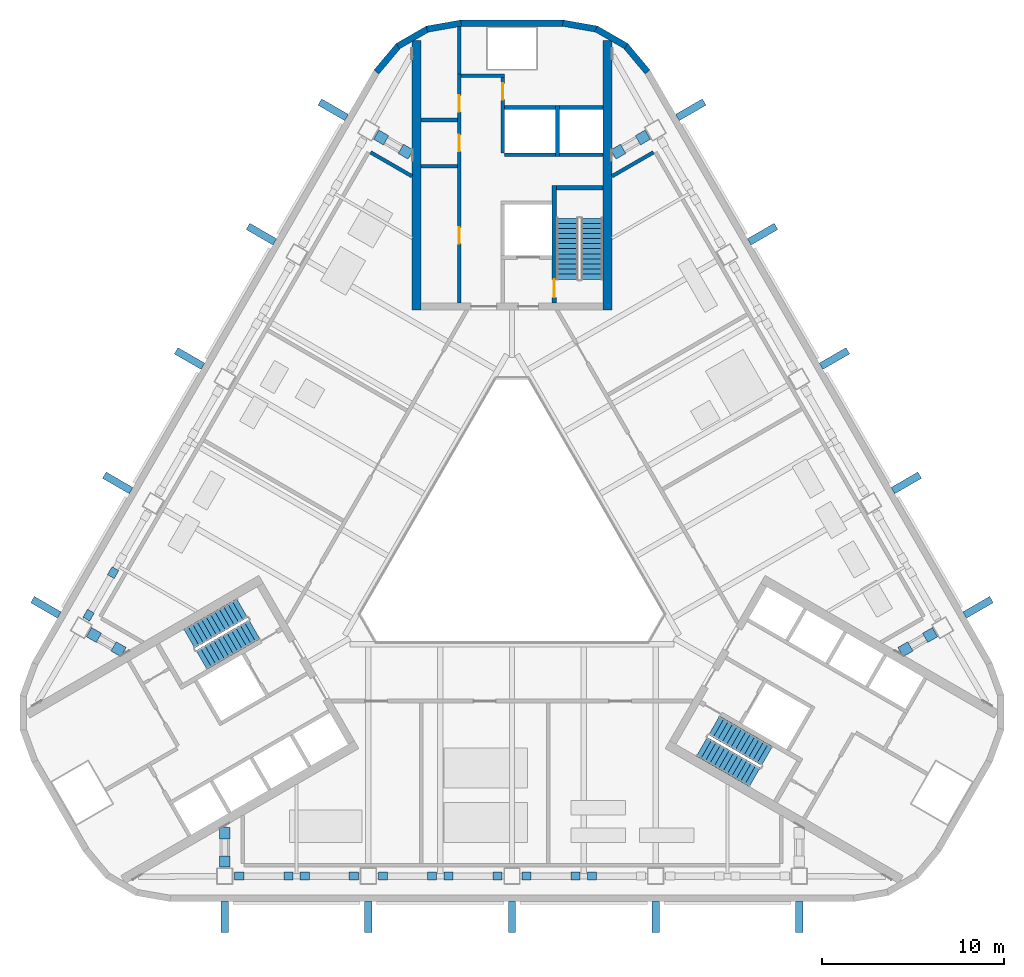
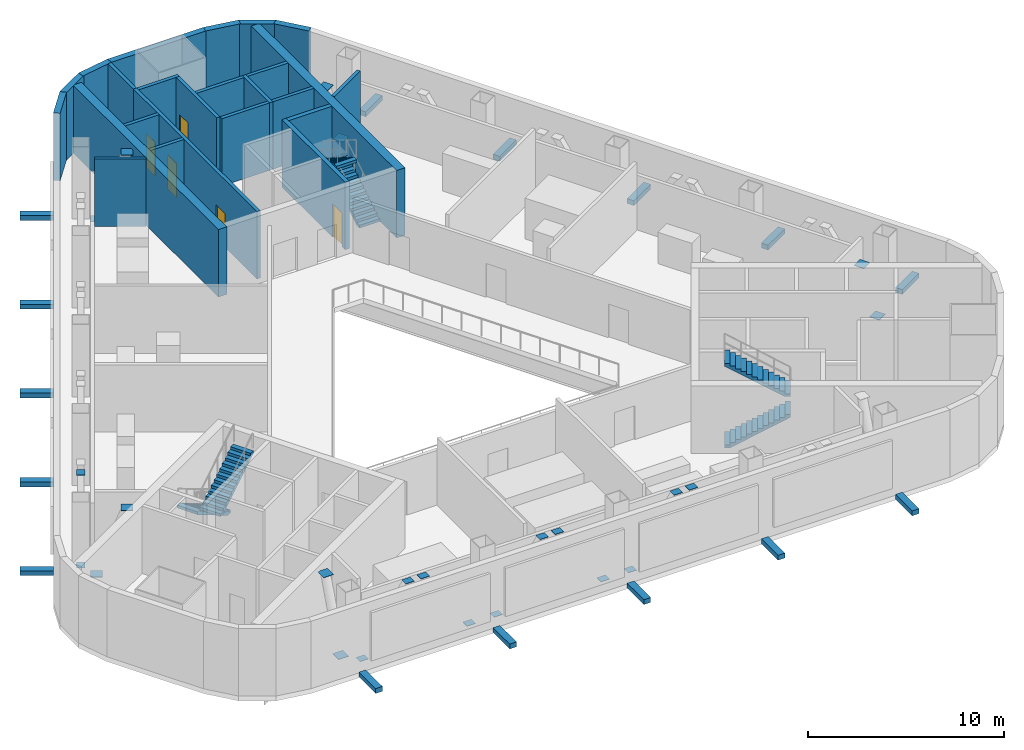
# One storey, part 9 of 15: 38 discrete accessories, 24 walls, 6 stair flights, 5 doors, 5 openings, 3 elements without a shape of their own.
"""IFC4 building model written with IfcOpenShell, lengths in metres."""

from ifc_helpers import new_model, si_unit, direction, frame, frame_2d, origin, origin_2d, place, context, subcontext, project, spatial, polyline, rectangle, outline, extrude, material, layer, layer_set, type_object, element, fill, aggregate, save


model = new_model("IFC4")

# Units and contexts
model_context = context("Model", 3, precision=1e-05, world=origin(), true_north=direction((0.0, 1.0)))
body_context = subcontext(model_context, "Body", "Model", "MODEL_VIEW")
ifc_project = project(units=[si_unit("LENGTHUNIT", "METRE"), si_unit("AREAUNIT", "SQUARE_METRE"), si_unit("VOLUMEUNIT", "CUBIC_METRE"), si_unit("PLANEANGLEUNIT", "RADIAN"), si_unit("MASSUNIT", "GRAM", prefix="KILO")], contexts=[model_context])

# Site, building, storey
site_placement = place(None, origin())
site = spatial("IfcSite", under=ifc_project, at=site_placement, CompositionType="ELEMENT")
building_placement = place(site_placement, origin())
building = spatial("IfcBuilding", under=site, at=building_placement, Name="Apuvela Tower Hotel", CompositionType="ELEMENT")
storey_placement = place(building_placement, frame((0.0, 0.0, 137.60009765625)))
storey = spatial("IfcBuildingStorey", under=building, at=storey_placement, Name="L32 Plant", CompositionType="ELEMENT", Elevation=137.60009765625)

# Walls
ifc_material_1 = material(Name="Concrete C50/60", Category="concrete")
ifc_layer_1 = layer(ifc_material_1, 0.5)
ifc_layer_set_1 = layer_set([ifc_layer_1], Name="COR-WALL-CORE-500")
wall_type_1 = type_object("IfcWallType", Name="COR-WALL-CORE-500", PredefinedType="SHEAR", material=ifc_layer_set_1)
for number, where, z_axis, x_axis, name in (
    (1, (5.25, 12.89990234375, 0.0), (0.0, 0.0, 1.0), (0.0, 1.0, 0.0), "Core wall N"),
    (2, (-5.25, 12.89990234375, 0.0), (0.0, 0.0, 1.0), (0.0, 1.0, 0.0), "Core wall N"),
):
    element("IfcWall", number, at=place(storey_placement, frame(where, z_axis=z_axis, x_axis=x_axis)), inside=storey, type_object=wall_type_1, Name=name, PredefinedType="SHEAR", context=body_context, shape_type="SweptSolid", body=[
        extrude(rectangle(XDim=14.8369140625, YDim=0.5, at=frame_2d((7.41845703125, 0.0))), origin(), (0.0, 0.0, 1.0), 4.199951171875),
    ])
ifc_material_2 = material(Name="Blockwork 200 mm plastered", Category="masonry")
ifc_layer_2 = layer(ifc_material_2, 0.199951171875)
ifc_layer_set_2 = layer_set([ifc_layer_2], Name="COR-WALL-PART-200")
wall_type_2 = type_object("IfcWallType", Name="COR-WALL-PART-200", PredefinedType="PARTITIONING", material=ifc_layer_set_2)
wall_1_placement = place(storey_placement, frame((5.0, 21.449951171875, 0.0), z_axis=(0.0, 0.0, 1.0), x_axis=(-1.0, 0.0, 0.0)))
element("IfcWall", 3, at=wall_1_placement, inside=storey, type_object=wall_type_2, Name="Partition N", PredefinedType="PARTITIONING", context=body_context, shape_type="SweptSolid", body=[
    extrude(rectangle(XDim=2.39990234375, YDim=0.199951171875, at=frame_2d((1.199951171875, 0.0))), origin(), (0.0, 0.0, 1.0), 4.199951171875),
])
wall_2_placement = place(storey_placement, frame((2.39990234375, 21.449951171875, 0.0), z_axis=(0.0, 0.0, 1.0), x_axis=(-1.0, 0.0, 0.0)))
element("IfcWall", 4, at=wall_2_placement, inside=storey, type_object=wall_type_2, Name="Partition N", PredefinedType="PARTITIONING", context=body_context, shape_type="SweptSolid", body=[
    extrude(rectangle(XDim=2.7998046875, YDim=0.199951171875, at=frame_2d((1.39990234375, 0.0))), origin(), (0.0, 0.0, 1.0), 4.199951171875),
])

# Wall, openings, doors
ifc_layer_3 = layer(ifc_material_1, 0.199951171875)
ifc_layer_set_3 = layer_set([ifc_layer_3], Name="COR-WALL-SHAFT-200")
wall_type_3 = type_object("IfcWallType", Name="COR-WALL-SHAFT-200", PredefinedType="SHEAR", material=ifc_layer_set_3)
wall_3_placement = place(storey_placement, frame((-2.89990234375, 13.300048828125, 0.0), z_axis=(0.0, 0.0, 1.0), x_axis=(0.0, 1.0, 0.0)))
wall_3 = element("IfcWall", 5, at=wall_3_placement, inside=storey, type_object=wall_type_3, Name="Shaft wall N", PredefinedType="SHEAR", context=body_context, shape_type="SweptSolid", body=[
    extrude(rectangle(XDim=12.599853515625, YDim=0.199951171875, at=frame_2d((6.2998046875, 0.0))), origin(), (0.0, 0.0, 1.0), 4.199951171875),
])
opening_1_placement = place(wall_3_placement, frame((3.260009765625, 0.0, 0.0)))
opening_1 = element("IfcOpeningElement", 6, at=opening_1_placement, cuts=wall_3, Name="Opening N-RE1", PredefinedType="OPENING", context=body_context, shape_type="SweptSolid", body=[
    extrude(rectangle(XDim=0.89990234375, YDim=2.10009765625, at=frame_2d((0.449951171875, 1.050048828125))), frame((0.0, 0.10986328125, 0.0), z_axis=(0.0, -1.0, 0.0), x_axis=(1.0, 0.0, 0.0)), (0.0, 0.0, 1.0), 0.219970703125),
])
opening_2_placement = place(wall_3_placement, frame((8.340087890625, 0.0, 0.0)))
opening_2 = element("IfcOpeningElement", 7, at=opening_2_placement, cuts=wall_3, Name="Opening N-RE4", PredefinedType="OPENING", context=body_context, shape_type="SweptSolid", body=[
    extrude(rectangle(XDim=0.89990234375, YDim=2.10009765625, at=frame_2d((0.449951171875, 1.050048828125))), frame((0.0, 0.10986328125, 0.0), z_axis=(0.0, -1.0, 0.0), x_axis=(1.0, 0.0, 0.0)), (0.0, 0.0, 1.0), 0.219970703125),
])
opening_3_placement = place(wall_3_placement, frame((10.510009765625, 0.0, 0.0)))
opening_3 = element("IfcOpeningElement", 8, at=opening_3_placement, cuts=wall_3, Name="Opening N-REP", PredefinedType="OPENING", context=body_context, shape_type="SweptSolid", body=[
    extrude(rectangle(XDim=0.89990234375, YDim=2.10009765625, at=frame_2d((0.449951171875, 1.050048828125))), frame((0.0, 0.10986328125, 0.0), z_axis=(0.0, -1.0, 0.0), x_axis=(1.0, 0.0, 0.0)), (0.0, 0.0, 1.0), 0.219970703125),
])
ifc_material_3 = material(Name="Steel fire door, powder coated", Category="steel")
door_type_1 = type_object("IfcDoorType", Name="COR-DR-900", OperationType="NOTDEFINED", PredefinedType="DOOR", material=ifc_material_3)
door_1_placement = place(opening_1_placement, origin())
door_1 = element("IfcDoor", 9, at=door_1_placement, inside=storey, type_object=door_type_1, Name="Store door N-RE1", OperationType="SINGLE_SWING_LEFT", OverallHeight=2.10009765625, OverallWidth=0.89990234375, PredefinedType="DOOR", context=body_context, shape_type="SweptSolid", body=[
    extrude(rectangle(XDim=0.89990234375, YDim=2.10009765625, at=frame_2d((0.449951171875, 1.050048828125))), frame((0.0, 0.02490234375, 0.0), z_axis=(0.0, -1.0, 0.0), x_axis=(1.0, 0.0, 0.0)), (0.0, 0.0, 1.0), 0.050048828125),
])
fill(opening_1, door_1)
door_2_placement = place(opening_2_placement, origin())
door_2 = element("IfcDoor", 10, at=door_2_placement, inside=storey, type_object=door_type_1, Name="Store door N-RE4", OperationType="SINGLE_SWING_LEFT", OverallHeight=2.10009765625, OverallWidth=0.89990234375, PredefinedType="DOOR", context=body_context, shape_type="SweptSolid", body=[
    extrude(rectangle(XDim=0.89990234375, YDim=2.10009765625, at=frame_2d((0.449951171875, 1.050048828125))), frame((0.0, 0.02490234375, 0.0), z_axis=(0.0, -1.0, 0.0), x_axis=(1.0, 0.0, 0.0)), (0.0, 0.0, 1.0), 0.050048828125),
])
fill(opening_2, door_2)
door_3_placement = place(opening_3_placement, origin())
door_3 = element("IfcDoor", 11, at=door_3_placement, inside=storey, type_object=door_type_1, Name="Store door N-REP", OperationType="SINGLE_SWING_RIGHT", OverallHeight=2.10009765625, OverallWidth=0.89990234375, PredefinedType="DOOR", context=body_context, shape_type="SweptSolid", body=[
    extrude(rectangle(XDim=0.89990234375, YDim=2.10009765625, at=frame_2d((0.449951171875, 1.050048828125))), frame((0.0, 0.02490234375, 0.0), z_axis=(0.0, -1.0, 0.0), x_axis=(1.0, 0.0, 0.0)), (0.0, 0.0, 1.0), 0.050048828125),
])
fill(opening_3, door_3)

# Wall
wall_4_placement = place(storey_placement, frame((-0.39990234375, 25.800048828125, 0.0), z_axis=(0.0, 0.0, 1.0), x_axis=(-1.0, 0.0, 0.0)))
element("IfcWall", 12, at=wall_4_placement, inside=storey, type_object=wall_type_3, Name="Shaft wall N", PredefinedType="SHEAR", context=body_context, shape_type="SweptSolid", body=[
    extrude(rectangle(XDim=2.400146484375, YDim=0.199951171875, at=frame_2d((1.2001953125, 0.0))), origin(), (0.0, 0.0, 1.0), 4.199951171875),
])

# Wall, opening, door
wall_5_placement = place(storey_placement, frame((-0.5, 21.550048828125, 0.0), z_axis=(0.0, 0.0, 1.0), x_axis=(0.0, 1.0, 0.0)))
wall_5 = element("IfcWall", 13, at=wall_5_placement, inside=storey, type_object=wall_type_3, Name="Shaft wall N", PredefinedType="SHEAR", context=body_context, shape_type="SweptSolid", body=[
    extrude(rectangle(XDim=4.14990234375, YDim=0.199951171875, at=frame_2d((2.074951171875, 0.0))), origin(), (0.0, 0.0, 1.0), 4.199951171875),
])
opening_4_placement = place(wall_5_placement, frame((2.925048828125, 0.0, 0.0)))
opening_4 = element("IfcOpeningElement", 14, at=opening_4_placement, cuts=wall_5, Name="Opening N-RSP", PredefinedType="OPENING", context=body_context, shape_type="SweptSolid", body=[
    extrude(rectangle(XDim=0.89990234375, YDim=2.10009765625, at=frame_2d((0.449951171875, 1.050048828125))), frame((0.0, 0.10986328125, 0.0), z_axis=(0.0, -1.0, 0.0), x_axis=(1.0, 0.0, 0.0)), (0.0, 0.0, 1.0), 0.219970703125),
])
door_4_placement = place(opening_4_placement, frame((0.89990234375, 0.0, 0.0), z_axis=(0.0, 0.0, 1.0), x_axis=(-1.0, 0.0, 0.0)))
door_4 = element("IfcDoor", 15, at=door_4_placement, inside=storey, type_object=door_type_1, Name="Store door N-RSP", OperationType="SINGLE_SWING_LEFT", OverallHeight=2.10009765625, OverallWidth=0.89990234375, PredefinedType="DOOR", context=body_context, shape_type="SweptSolid", body=[
    extrude(rectangle(XDim=0.89990234375, YDim=2.10009765625, at=frame_2d((0.449951171875, 1.050048828125))), frame((0.0, 0.02490234375, 0.0), z_axis=(0.0, -1.0, 0.0), x_axis=(1.0, 0.0, 0.0)), (0.0, 0.0, 1.0), 0.050048828125),
])
fill(opening_4, door_4)

# Walls
for number, where, z_axis, x_axis, name in (
    (16, (-3.0, 20.820068359375, 0.0), (0.0, 0.0, 1.0), (-1.0, 0.0, 0.0), "Shaft wall N"),
    (17, (-3.0, 23.360107421875, 0.0), (0.0, 0.0, 1.0), (-1.0, 0.0, 0.0), "Shaft wall N"),
):
    element("IfcWall", number, at=place(storey_placement, frame(where, z_axis=z_axis, x_axis=x_axis)), inside=storey, type_object=wall_type_3, Name=name, PredefinedType="SHEAR", context=body_context, shape_type="SweptSolid", body=[
        extrude(rectangle(XDim=2.0, YDim=0.199951171875, at=frame_2d((1.0, 0.0))), origin(), (0.0, 0.0, 1.0), 4.199951171875),
    ])
wall_6_placement = place(storey_placement, frame((-2.89990234375, 25.89990234375, 0.0), z_axis=(0.0, 0.0, 1.0), x_axis=(0.0, 1.0, 0.0)))
element("IfcWall", 18, at=wall_6_placement, inside=storey, type_object=wall_type_3, Name="Shaft wall N", PredefinedType="SHEAR", context=body_context, shape_type="SweptSolid", body=[
    extrude(rectangle(XDim=2.60009765625, YDim=0.199951171875, at=frame_2d((1.300048828125, 0.0))), origin(), (0.0, 0.0, 1.0), 4.199951171875),
])
wall_7_placement = place(storey_placement, frame((2.5, 21.35009765625, 0.0), z_axis=(0.0, 0.0, 1.0), x_axis=(0.0, 1.0, 0.0)))
element("IfcWall", 19, at=wall_7_placement, inside=storey, type_object=wall_type_3, Name="Shaft wall N", PredefinedType="SHEAR", context=body_context, shape_type="SweptSolid", body=[
    extrude(rectangle(XDim=2.7998046875, YDim=0.199951171875, at=frame_2d((1.39990234375, 0.0))), origin(), (0.0, 0.0, 1.0), 4.199951171875),
])
wall_8_placement = place(storey_placement, frame((5.0, 24.050048828125, 0.0), z_axis=(0.0, 0.0, 1.0), x_axis=(-1.0, 0.0, 0.0)))
element("IfcWall", 20, at=wall_8_placement, inside=storey, type_object=wall_type_3, Name="Shaft wall N", PredefinedType="SHEAR", context=body_context, shape_type="SweptSolid", body=[
    extrude(rectangle(XDim=2.39990234375, YDim=0.199951171875, at=frame_2d((1.199951171875, 0.0))), origin(), (0.0, 0.0, 1.0), 4.199951171875),
])
wall_9_placement = place(storey_placement, frame((2.39990234375, 24.050048828125, 0.0), z_axis=(0.0, 0.0, 1.0), x_axis=(-1.0, 0.0, 0.0)))
element("IfcWall", 21, at=wall_9_placement, inside=storey, type_object=wall_type_3, Name="Shaft wall N", PredefinedType="SHEAR", context=body_context, shape_type="SweptSolid", body=[
    extrude(rectangle(XDim=2.7998046875, YDim=0.199951171875, at=frame_2d((1.39990234375, 0.0))), origin(), (0.0, 0.0, 1.0), 4.199951171875),
])

# Wall, opening, door
ifc_layer_4 = layer(ifc_material_1, 0.25)
ifc_layer_set_4 = layer_set([ifc_layer_4], Name="COR-WALL-STAIR-250")
wall_type_4 = type_object("IfcWallType", Name="COR-WALL-STAIR-250", PredefinedType="SHEAR", material=ifc_layer_set_4)
wall_10_placement = place(storey_placement, frame((2.324951171875, 13.300048828125, 0.0), z_axis=(0.0, 0.0, 1.0), x_axis=(0.0, 1.0, 0.0)))
wall_10 = element("IfcWall", 22, at=wall_10_placement, inside=storey, type_object=wall_type_4, Name="Stair wall N", PredefinedType="SHEAR", context=body_context, shape_type="SweptSolid", body=[
    extrude(rectangle(XDim=6.449951171875, YDim=0.25, at=frame_2d((3.22509765625, 0.0))), origin(), (0.0, 0.0, 1.0), 4.199951171875),
])
opening_5_placement = place(wall_10_placement, frame((0.300048828125, 0.0, 0.0)))
opening_5 = element("IfcOpeningElement", 23, at=opening_5_placement, cuts=wall_10, Name="Opening N-SD", PredefinedType="OPENING", context=body_context, shape_type="SweptSolid", body=[
    extrude(rectangle(XDim=1.0, YDim=2.10009765625, at=frame_2d((0.5, 1.050048828125))), frame((0.0, 0.135009765625, 0.0), z_axis=(0.0, -1.0, 0.0), x_axis=(1.0, 0.0, 0.0)), (0.0, 0.0, 1.0), 0.27001953125),
])
door_type_2 = type_object("IfcDoorType", Name="COR-SD-1000", OperationType="NOTDEFINED", PredefinedType="DOOR", material=ifc_material_3)
door_5_placement = place(opening_5_placement, frame((1.0, 0.0, 0.0), z_axis=(0.0, 0.0, 1.0), x_axis=(-1.0, 0.0, 0.0)))
door_5 = element("IfcDoor", 24, at=door_5_placement, inside=storey, type_object=door_type_2, Name="Stair door N-SD", OperationType="SINGLE_SWING_LEFT", OverallHeight=2.10009765625, OverallWidth=1.0, PredefinedType="DOOR", context=body_context, shape_type="SweptSolid", body=[
    extrude(rectangle(XDim=1.0, YDim=2.10009765625, at=frame_2d((0.5, 1.050048828125))), frame((0.0, 0.02490234375, 0.0), z_axis=(0.0, -1.0, 0.0), x_axis=(1.0, 0.0, 0.0)), (0.0, 0.0, 1.0), 0.050048828125),
])
fill(opening_5, door_5)

# Walls
wall_11_placement = place(storey_placement, frame((5.0, 19.625, 0.0), z_axis=(0.0, 0.0, 1.0), x_axis=(-1.0, 0.0, 0.0)))
element("IfcWall", 25, at=wall_11_placement, inside=storey, type_object=wall_type_4, Name="Stair wall N", PredefinedType="SHEAR", context=body_context, shape_type="SweptSolid", body=[
    extrude(rectangle(XDim=2.550048828125, YDim=0.25, at=frame_2d((1.27490234375, 0.0))), origin(), (0.0, 0.0, 1.0), 4.199951171875),
])
ifc_material_4 = material(Name="Concrete C40/50, dark pigmented precast panel", Category="concrete")
ifc_layer_5 = layer(ifc_material_4, 0.35009765625)
ifc_layer_set_5 = layer_set([ifc_layer_5], Name="ENV-WALL-350")
wall_type_5 = type_object("IfcWallType", Name="ENV-WALL-350", PredefinedType="SOLIDWALL", material=ifc_layer_set_5)
for number, where, z_axis, x_axis, name in (
    (26, (6.27685546875, 27.421630859375, 0.0), (0.0, 0.0, 1.0), (-0.866032345022, 0.499987977232, 0.0), "External wall L32 Plant-01"),
    (27, (4.6796875, 28.35595703125, 0.0), (0.0, 0.0, 1.0), (-0.984798995425, 0.173697837091, 0.0), "External wall L32 Plant-02"),
):
    element("IfcWall", number, at=place(storey_placement, frame(where, z_axis=z_axis, x_axis=x_axis)), inside=storey, type_object=wall_type_5, Name=name, PredefinedType="SOLIDWALL", context=body_context, shape_type="SweptSolid", body=[
        extrude(rectangle(XDim=1.91015625, YDim=0.35009765625, at=frame_2d((0.955078125, 0.0))), origin(), (0.0, 0.0, 1.0), 4.199951171875),
    ])
wall_12_placement = place(storey_placement, frame((2.8291015625, 28.68505859375, 0.0), z_axis=(0.0, 0.0, 1.0), x_axis=(-1.0, 0.0, 0.0)))
element("IfcWall", 28, at=wall_12_placement, inside=storey, type_object=wall_type_5, Name="External wall L32 Plant-03", PredefinedType="SOLIDWALL", context=body_context, shape_type="SweptSolid", body=[
    extrude(rectangle(XDim=5.658203125, YDim=0.35009765625, at=frame_2d((2.8291015625, 0.0))), origin(), (0.0, 0.0, 1.0), 4.199951171875),
])
for number, where, z_axis, x_axis, name in (
    (29, (-2.798583984375, 28.687744140625, 0.0), (0.0, 0.0, 1.0), (-0.984798995425, -0.173697837091, 0.0), "External wall L32 Plant-04"),
    (30, (-4.62255859375, 28.376708984375, 0.0), (0.0, 0.0, 1.0), (-0.866032345022, -0.499987977232, 0.0), "External wall L32 Plant-05"),
):
    element("IfcWall", number, at=place(storey_placement, frame(where, z_axis=z_axis, x_axis=x_axis)), inside=storey, type_object=wall_type_5, Name=name, PredefinedType="SOLIDWALL", context=body_context, shape_type="SweptSolid", body=[
        extrude(rectangle(XDim=1.91015625, YDim=0.35009765625, at=frame_2d((0.955078125, 0.0))), origin(), (0.0, 0.0, 1.0), 4.199951171875),
    ])
for number, where, z_axis, x_axis, name in (
    (31, (-6.230224609375, 27.460693359375, 0.0), (0.0, 0.0, 1.0), (-0.642808304945, -0.766027077259, 0.0), "External wall L32 Plant-06"),
    (32, (7.4580078125, 25.99755859375, 0.0), (0.0, 0.0, 1.0), (-0.642808304945, 0.766027077259, 0.0), "External wall L32 Plant-24"),
):
    element("IfcWall", number, at=place(storey_placement, frame(where, z_axis=z_axis, x_axis=x_axis)), inside=storey, type_object=wall_type_5, Name=name, PredefinedType="SOLIDWALL", context=body_context, shape_type="SweptSolid", body=[
        extrude(rectangle(XDim=1.909912109375, YDim=0.35009765625, at=frame_2d((0.955078125, 0.0))), origin(), (0.0, 0.0, 1.0), 4.199951171875),
    ])
ifc_material_5 = material(Name="Reinforced blockwork B15", Category="masonry")
ifc_layer_6 = layer(ifc_material_5, 0.199951171875)
ifc_layer_set_6 = layer_set([ifc_layer_6], Name="SPC-WALL-PLANT")
wall_type_6 = type_object("IfcWallType", Name="SPC-WALL-PLANT", PredefinedType="PARTITIONING", material=ifc_layer_set_6)
for number, where, z_axis, x_axis, name in (
    (33, (7.781494140625, 21.582275390625, 0.0), (0.0, 0.0, 1.0), (-0.865998849027, -0.500045991369, 0.0), "Wall L32-NE-P06"),
    (34, (-7.781494140625, 21.582275390625, 0.0), (0.0, 0.0, 1.0), (0.865998849027, -0.500045991369, 0.0), "Wall L32-NW-P03"),
):
    element("IfcWall", number, at=place(storey_placement, frame(where, z_axis=z_axis, x_axis=x_axis)), inside=storey, type_object=wall_type_6, Name=name, PredefinedType="PARTITIONING", context=body_context, shape_type="SweptSolid", body=[
        extrude(rectangle(XDim=2.634521484375, YDim=0.199951171875, at=frame_2d((1.3173828125, 0.0))), origin(), (0.0, 0.0, 1.0), 4.199951171875),
    ])

# Stair, stair flights
stair_type = type_object("IfcStairType", Name="COR-STAIR-26R", PredefinedType="HALF_TURN_STAIR", material=ifc_material_1)
stair_1_placement = place(storey_placement, origin())
stair_1 = element("IfcStair", 35, at=stair_1_placement, inside=storey, type_object=stair_type, Name="L32 Plant Exit stair ST1", PredefinedType="HALF_TURN_STAIR")
stair_flight_type = type_object("IfcStairFlightType", Name="COR-FLIGHT-13R", PredefinedType="STRAIGHT", material=ifc_material_1)
stair_flight_1_placement = place(storey_placement, frame((4.39990234375, 14.60009765625, 0.0), z_axis=(0.0, 0.0, 1.0), x_axis=(0.0, 1.0, 0.0)))
stair_flight_1 = element("IfcStairFlight", 36, at=stair_flight_1_placement, type_object=stair_flight_type, Name="ST1 flight 1", NumberOfRisers=13, NumberOfTreads=12, PredefinedType="STRAIGHT", RiserHeight=0.173076923, TreadLength=0.28, context=body_context, shape_type="SweptSolid", body=[
    extrude(outline(polyline([(0.0, 0.0), (0.0, 0.173095703125), (0.280029296875, 0.173095703125), (0.280029296875, 0.34619140625), (0.56005859375, 0.34619140625), (0.56005859375, 0.519287109375), (0.840087890625, 0.519287109375), (0.840087890625, 0.6923828125), (1.1201171875, 0.6923828125), (1.1201171875, 0.865478515625), (1.39990234375, 0.865478515625), (1.39990234375, 1.03857421875), (1.679931640625, 1.03857421875), (1.679931640625, 1.21142578125), (1.9599609375, 1.21142578125), (1.9599609375, 1.384521484375), (2.239990234375, 1.384521484375), (2.239990234375, 1.5576171875), (2.52001953125, 1.5576171875), (2.52001953125, 1.730712890625), (2.800048828125, 1.730712890625), (2.800048828125, 1.90380859375), (3.080078125, 1.90380859375), (3.080078125, 2.076904296875), (3.360107421875, 2.076904296875), (3.360107421875, 2.25), (3.360107421875, 1.900634765625), (0.28515625, 0.0), (0.0, 0.0)])), frame((0.0, 0.60009765625, 0.0), z_axis=(0.0, -1.0, 0.0), x_axis=(1.0, 0.0, 0.0)), (0.0, 0.0, 1.0), 1.199951171875),
])
stair_flight_2_placement = place(storey_placement, frame((3.050048828125, 17.9599609375, 2.25), z_axis=(0.0, 0.0, 1.0), x_axis=(0.0, -1.0, 0.0)))
stair_flight_2 = element("IfcStairFlight", 37, at=stair_flight_2_placement, type_object=stair_flight_type, Name="ST1 flight 2", NumberOfRisers=13, NumberOfTreads=12, PredefinedType="STRAIGHT", RiserHeight=0.173076923, TreadLength=0.28, context=body_context, shape_type="SweptSolid", body=[
    extrude(outline(polyline([(0.0, 0.0), (0.0, 0.173095703125), (0.280029296875, 0.173095703125), (0.280029296875, 0.34619140625), (0.56005859375, 0.34619140625), (0.56005859375, 0.519287109375), (0.840087890625, 0.519287109375), (0.840087890625, 0.6923828125), (1.1201171875, 0.6923828125), (1.1201171875, 0.865478515625), (1.39990234375, 0.865478515625), (1.39990234375, 1.03857421875), (1.679931640625, 1.03857421875), (1.679931640625, 1.21142578125), (1.9599609375, 1.21142578125), (1.9599609375, 1.384521484375), (2.239990234375, 1.384521484375), (2.239990234375, 1.5576171875), (2.52001953125, 1.5576171875), (2.52001953125, 1.730712890625), (2.800048828125, 1.730712890625), (2.800048828125, 1.90380859375), (3.080078125, 1.90380859375), (3.080078125, 2.076904296875), (3.360107421875, 2.076904296875), (3.360107421875, 2.25), (3.360107421875, 1.900634765625), (0.28515625, 0.0), (0.0, 0.0)])), frame((0.0, 0.60009765625, 0.0), z_axis=(0.0, -1.0, 0.0), x_axis=(1.0, 0.0, 0.0)), (0.0, 0.0, 1.0), 1.199951171875),
])
aggregate(stair_1, [stair_flight_1, stair_flight_2])

stair_2_placement = place(storey_placement, origin())
stair_2 = element("IfcStair", 38, at=stair_2_placement, inside=storey, type_object=stair_type, Name="L32 Plant Exit stair ST2", PredefinedType="HALF_TURN_STAIR")
stair_flight_3_placement = place(storey_placement, frame((-14.843994140625, -3.489501953125, 0.0), z_axis=(0.0, 0.0, 1.0), x_axis=(-0.866025403784, -0.5, 0.0)))
stair_flight_3 = element("IfcStairFlight", 39, at=stair_flight_3_placement, type_object=stair_flight_type, Name="ST2 flight 1", NumberOfRisers=13, NumberOfTreads=12, PredefinedType="STRAIGHT", RiserHeight=0.173076923, TreadLength=0.28, context=body_context, shape_type="SweptSolid", body=[
    extrude(outline(polyline([(0.0, 0.0), (0.0, 0.173095703125), (0.280029296875, 0.173095703125), (0.280029296875, 0.34619140625), (0.56005859375, 0.34619140625), (0.56005859375, 0.519287109375), (0.840087890625, 0.519287109375), (0.840087890625, 0.6923828125), (1.1201171875, 0.6923828125), (1.1201171875, 0.865478515625), (1.39990234375, 0.865478515625), (1.39990234375, 1.03857421875), (1.679931640625, 1.03857421875), (1.679931640625, 1.21142578125), (1.9599609375, 1.21142578125), (1.9599609375, 1.384521484375), (2.239990234375, 1.384521484375), (2.239990234375, 1.5576171875), (2.52001953125, 1.5576171875), (2.52001953125, 1.730712890625), (2.800048828125, 1.730712890625), (2.800048828125, 1.90380859375), (3.080078125, 1.90380859375), (3.080078125, 2.076904296875), (3.360107421875, 2.076904296875), (3.360107421875, 2.25), (3.360107421875, 1.900634765625), (0.28515625, 0.0), (0.0, 0.0)])), frame((0.0, 0.60009765625, 0.0), z_axis=(0.0, -1.0, 0.0), x_axis=(1.0, 0.0, 0.0)), (0.0, 0.0, 1.0), 1.199951171875),
])
stair_flight_4_placement = place(storey_placement, frame((-17.078857421875, -6.338623046875, 2.25), z_axis=(0.0, 0.0, 1.0), x_axis=(0.866025403784, 0.5, 0.0)))
stair_flight_4 = element("IfcStairFlight", 40, at=stair_flight_4_placement, type_object=stair_flight_type, Name="ST2 flight 2", NumberOfRisers=13, NumberOfTreads=12, PredefinedType="STRAIGHT", RiserHeight=0.173076923, TreadLength=0.28, context=body_context, shape_type="SweptSolid", body=[
    extrude(outline(polyline([(0.0, 0.0), (0.0, 0.173095703125), (0.280029296875, 0.173095703125), (0.280029296875, 0.34619140625), (0.56005859375, 0.34619140625), (0.56005859375, 0.519287109375), (0.840087890625, 0.519287109375), (0.840087890625, 0.6923828125), (1.1201171875, 0.6923828125), (1.1201171875, 0.865478515625), (1.39990234375, 0.865478515625), (1.39990234375, 1.03857421875), (1.679931640625, 1.03857421875), (1.679931640625, 1.21142578125), (1.9599609375, 1.21142578125), (1.9599609375, 1.384521484375), (2.239990234375, 1.384521484375), (2.239990234375, 1.5576171875), (2.52001953125, 1.5576171875), (2.52001953125, 1.730712890625), (2.800048828125, 1.730712890625), (2.800048828125, 1.90380859375), (3.080078125, 1.90380859375), (3.080078125, 2.076904296875), (3.360107421875, 2.076904296875), (3.360107421875, 2.25), (3.360107421875, 1.900634765625), (0.28515625, 0.0), (0.0, 0.0)])), frame((0.0, 0.60009765625, 0.0), z_axis=(0.0, -1.0, 0.0), x_axis=(1.0, 0.0, 0.0)), (0.0, 0.0, 1.0), 1.199951171875),
])
aggregate(stair_2, [stair_flight_3, stair_flight_4])

stair_3_placement = place(storey_placement, origin())
stair_3 = element("IfcStair", 41, at=stair_3_placement, inside=storey, type_object=stair_type, Name="L32 Plant Exit stair ST3", PredefinedType="HALF_TURN_STAIR")
stair_flight_5_placement = place(storey_placement, frame((10.444091796875, -11.110595703125, 0.0), z_axis=(0.0, 0.0, 1.0), x_axis=(0.866025403784, -0.5, 0.0)))
stair_flight_5 = element("IfcStairFlight", 42, at=stair_flight_5_placement, type_object=stair_flight_type, Name="ST3 flight 1", NumberOfRisers=13, NumberOfTreads=12, PredefinedType="STRAIGHT", RiserHeight=0.173076923, TreadLength=0.28, context=body_context, shape_type="SweptSolid", body=[
    extrude(outline(polyline([(0.0, 0.0), (0.0, 0.173095703125), (0.280029296875, 0.173095703125), (0.280029296875, 0.34619140625), (0.56005859375, 0.34619140625), (0.56005859375, 0.519287109375), (0.840087890625, 0.519287109375), (0.840087890625, 0.6923828125), (1.1201171875, 0.6923828125), (1.1201171875, 0.865478515625), (1.39990234375, 0.865478515625), (1.39990234375, 1.03857421875), (1.679931640625, 1.03857421875), (1.679931640625, 1.21142578125), (1.9599609375, 1.21142578125), (1.9599609375, 1.384521484375), (2.239990234375, 1.384521484375), (2.239990234375, 1.5576171875), (2.52001953125, 1.5576171875), (2.52001953125, 1.730712890625), (2.800048828125, 1.730712890625), (2.800048828125, 1.90380859375), (3.080078125, 1.90380859375), (3.080078125, 2.076904296875), (3.360107421875, 2.076904296875), (3.360107421875, 2.25), (3.360107421875, 1.900634765625), (0.28515625, 0.0), (0.0, 0.0)])), frame((0.0, 0.60009765625, 0.0), z_axis=(0.0, -1.0, 0.0), x_axis=(1.0, 0.0, 0.0)), (0.0, 0.0, 1.0), 1.199951171875),
])
stair_flight_6_placement = place(storey_placement, frame((14.02880859375, -11.621337890625, 2.25), z_axis=(0.0, 0.0, 1.0), x_axis=(-0.866025403784, 0.5, 0.0)))
stair_flight_6 = element("IfcStairFlight", 43, at=stair_flight_6_placement, type_object=stair_flight_type, Name="ST3 flight 2", NumberOfRisers=13, NumberOfTreads=12, PredefinedType="STRAIGHT", RiserHeight=0.173076923, TreadLength=0.28, context=body_context, shape_type="SweptSolid", body=[
    extrude(outline(polyline([(0.0, 0.0), (0.0, 0.173095703125), (0.280029296875, 0.173095703125), (0.280029296875, 0.34619140625), (0.56005859375, 0.34619140625), (0.56005859375, 0.519287109375), (0.840087890625, 0.519287109375), (0.840087890625, 0.6923828125), (1.1201171875, 0.6923828125), (1.1201171875, 0.865478515625), (1.39990234375, 0.865478515625), (1.39990234375, 1.03857421875), (1.679931640625, 1.03857421875), (1.679931640625, 1.21142578125), (1.9599609375, 1.21142578125), (1.9599609375, 1.384521484375), (2.239990234375, 1.384521484375), (2.239990234375, 1.5576171875), (2.52001953125, 1.5576171875), (2.52001953125, 1.730712890625), (2.800048828125, 1.730712890625), (2.800048828125, 1.90380859375), (3.080078125, 1.90380859375), (3.080078125, 2.076904296875), (3.360107421875, 2.076904296875), (3.360107421875, 2.25), (3.360107421875, 1.900634765625), (0.28515625, 0.0), (0.0, 0.0)])), frame((0.0, 0.60009765625, 0.0), z_axis=(0.0, -1.0, 0.0), x_axis=(1.0, 0.0, 0.0)), (0.0, 0.0, 1.0), 1.199951171875),
])
aggregate(stair_3, [stair_flight_5, stair_flight_6])

# Discrete accessories
ifc_material_6 = material(Name="Steel S355, black paint system", Category="steel")
discrete_accessory_type_1 = type_object("IfcDiscreteAccessoryType", Name="ENV-FIN-BRACKET-LONG", PredefinedType="BRACKET", material=ifc_material_6)
for number, where, z_axis, x_axis, name in (
    (44, (25.63623046875, -3.443115234375, -0.25), (0.0, 0.0, 1.0), (-0.5, 0.866025403784, 0.0), "Fin bracket NE55"),
    (45, (21.686279296875, 3.3984375, -0.25), (0.0, 0.0, 1.0), (-0.5, 0.866025403784, 0.0), "Fin bracket NE56"),
    (46, (17.736083984375, 10.239990234375, -0.25), (0.0, 0.0, 1.0), (-0.5, 0.866025403784, 0.0), "Fin bracket NE57"),
    (47, (13.7861328125, 17.08154296875, -0.25), (0.0, 0.0, 1.0), (-0.5, 0.866025403784, 0.0), "Fin bracket NE58"),
    (48, (9.836181640625, 23.923095703125, -0.25), (0.0, 0.0, 1.0), (-0.5, 0.866025403784, 0.0), "Fin bracket NE59"),
    (49, (-9.836181640625, 23.923095703125, -0.25), (0.0, 0.0, 1.0), (-0.5, -0.866025403784, 0.0), "Fin bracket NW204"),
    (50, (-13.7861328125, 17.08154296875, -0.25), (0.0, 0.0, 1.0), (-0.5, -0.866025403784, 0.0), "Fin bracket NW205"),
    (51, (-17.736083984375, 10.239990234375, -0.25), (0.0, 0.0, 1.0), (-0.5, -0.866025403784, 0.0), "Fin bracket NW206"),
    (52, (-21.686279296875, 3.3984375, -0.25), (0.0, 0.0, 1.0), (-0.5, -0.866025403784, 0.0), "Fin bracket NW207"),
    (53, (-25.63623046875, -3.443115234375, -0.25), (0.0, 0.0, 1.0), (-0.5, -0.866025403784, 0.0), "Fin bracket NW208"),
    (54, (-15.800048828125, -20.47998046875, -0.25), (0.0, 0.0, 1.0), (1.0, 0.0, 0.0), "Fin bracket S354"),
    (55, (-7.89990234375, -20.47998046875, -0.25), (0.0, 0.0, 1.0), (1.0, 0.0, 0.0), "Fin bracket S355"),
    (56, (0.0, -20.47998046875, -0.25), (0.0, 0.0, 1.0), (1.0, 0.0, 0.0), "Fin bracket S356"),
    (57, (7.89990234375, -20.47998046875, -0.25), (0.0, 0.0, 1.0), (1.0, 0.0, 0.0), "Fin bracket S357"),
    (58, (15.800048828125, -20.47998046875, -0.25), (0.0, 0.0, 1.0), (1.0, 0.0, 0.0), "Fin bracket S358"),
):
    element("IfcDiscreteAccessory", number, at=place(storey_placement, frame(where, z_axis=z_axis, x_axis=x_axis)), inside=storey, type_object=discrete_accessory_type_1, Name=name, PredefinedType="BRACKET", context=body_context, shape_type="SweptSolid", body=[
        extrude(rectangle(XDim=0.39990234375, YDim=1.699951171875, at=origin_2d()), origin(), (0.0, 0.0, 1.0), 0.300048828125),
    ])
ifc_material_7 = material(Name="Steel S355", Category="steel")
ifc_layer_7 = layer(ifc_material_7, 0.02001953125)
ifc_layer_set_7 = layer_set([ifc_layer_7], Name="STR-EP end plate 20")
discrete_accessory_type_2 = type_object("IfcDiscreteAccessoryType", Name="STR-EP end plate 20", PredefinedType="BRACKET", material=ifc_layer_set_7)
for number, where, z_axis, x_axis, name in (
    (59, (-15.0, -18.22998046875, -0.300048828125), (0.0, 0.0, 1.0), (1.0, 0.0, 0.0), "End plate EP BR2 S1"),
    (60, (-12.300048828125, -18.22998046875, 3.58984375), (0.0, 0.0, 1.0), (1.0, 0.0, 0.0), "End plate EP BR2 S1"),
    (61, (-8.699951171875, -18.22998046875, -0.300048828125), (0.0, 0.0, 1.0), (-1.0, 0.0, 0.0), "End plate EP BR2 S1"),
    (62, (-11.39990234375, -18.22998046875, 3.58984375), (0.0, 0.0, 1.0), (-1.0, 0.0, 0.0), "End plate EP BR2 S1"),
    (63, (-7.10009765625, -18.22998046875, -0.300048828125), (0.0, 0.0, 1.0), (1.0, 0.0, 0.0), "End plate EP BR2 S2"),
    (64, (-4.39990234375, -18.22998046875, 3.58984375), (0.0, 0.0, 1.0), (1.0, 0.0, 0.0), "End plate EP BR2 S2"),
    (65, (-0.800048828125, -18.22998046875, -0.300048828125), (0.0, 0.0, 1.0), (-1.0, 0.0, 0.0), "End plate EP BR2 S2"),
    (66, (-3.5, -18.22998046875, 3.58984375), (0.0, 0.0, 1.0), (-1.0, 0.0, 0.0), "End plate EP BR2 S2"),
    (67, (0.800048828125, -18.22998046875, -0.300048828125), (0.0, 0.0, 1.0), (1.0, 0.0, 0.0), "End plate EP BR2 S3"),
    (68, (3.5, -18.22998046875, 3.58984375), (0.0, 0.0, 1.0), (1.0, 0.0, 0.0), "End plate EP BR2 S3"),
    (69, (4.39990234375, -18.22998046875, 3.58984375), (0.0, 0.0, 1.0), (-1.0, 0.0, 0.0), "End plate EP BR2 S3"),
    (70, (-23.28759765625, -3.87548828125, -0.300048828125), (0.0, 0.0, 1.0), (0.5, 0.866025403784, 0.0), "End plate EP BR2 NW4"),
    (71, (-21.9375, -1.537109375, 3.58984375), (0.0, 0.0, 1.0), (0.5, 0.866025403784, 0.0), "End plate EP BR2 NW4"),
):
    element("IfcDiscreteAccessory", number, at=place(storey_placement, frame(where, z_axis=z_axis, x_axis=x_axis)), inside=storey, type_object=discrete_accessory_type_2, Name=name, PredefinedType="BRACKET", context=body_context, shape_type="SweptSolid", body=[
        extrude(rectangle(XDim=0.50537109375, YDim=0.429931640625, at=origin_2d()), origin(), (0.0, 0.0, 1.0), 0.02001953125),
    ])
for number, where, z_axis, x_axis, name in (
    (72, (22.994873046875, -4.96826171875, -0.300048828125), (0.0, 0.0, 1.0), (-0.866025403784, -0.5, 0.0), "End plate EP OD2 NE1"),
    (73, (21.64306640625, -5.74853515625, 3.849853515625), (0.0, 0.0, 1.0), (-0.866025403784, -0.5, 0.0), "End plate EP OD2 NE1"),
    (74, (7.19482421875, 22.398193359375, -0.300048828125), (0.0, 0.0, 1.0), (-0.866025403784, -0.5, 0.0), "End plate EP OD2 NE5"),
    (75, (5.843017578125, 21.617919921875, 3.849853515625), (0.0, 0.0, 1.0), (-0.866025403784, -0.5, 0.0), "End plate EP OD2 NE5"),
    (76, (-7.19482421875, 22.398193359375, -0.300048828125), (0.0, 0.0, 1.0), (0.866025403784, -0.5, 0.0), "End plate EP OD2 NW1"),
    (77, (-5.843017578125, 21.617919921875, 3.849853515625), (0.0, 0.0, 1.0), (0.866025403784, -0.5, 0.0), "End plate EP OD2 NW1"),
    (78, (-22.994873046875, -4.96826171875, -0.300048828125), (0.0, 0.0, 1.0), (0.866025403784, -0.5, 0.0), "End plate EP OD2 NW5"),
    (79, (-21.64306640625, -5.74853515625, 3.849853515625), (0.0, 0.0, 1.0), (0.866025403784, -0.5, 0.0), "End plate EP OD2 NW5"),
    (80, (-15.800048828125, -17.429931640625, -0.300048828125), (0.0, 0.0, 1.0), (0.0, 1.0, 0.0), "End plate EP OD2 S1"),
    (81, (-15.800048828125, -15.869140625, 3.849853515625), (0.0, 0.0, 1.0), (0.0, 1.0, 0.0), "End plate EP OD2 S1"),
):
    element("IfcDiscreteAccessory", number, at=place(storey_placement, frame(where, z_axis=z_axis, x_axis=x_axis)), inside=storey, type_object=discrete_accessory_type_2, Name=name, PredefinedType="BRACKET", context=body_context, shape_type="SweptSolid", body=[
        extrude(rectangle(XDim=0.622314453125, YDim=0.587890625, at=origin_2d()), origin(), (0.0, 0.0, 1.0), 0.02001953125),
    ])

save(model, "model.ifc")
